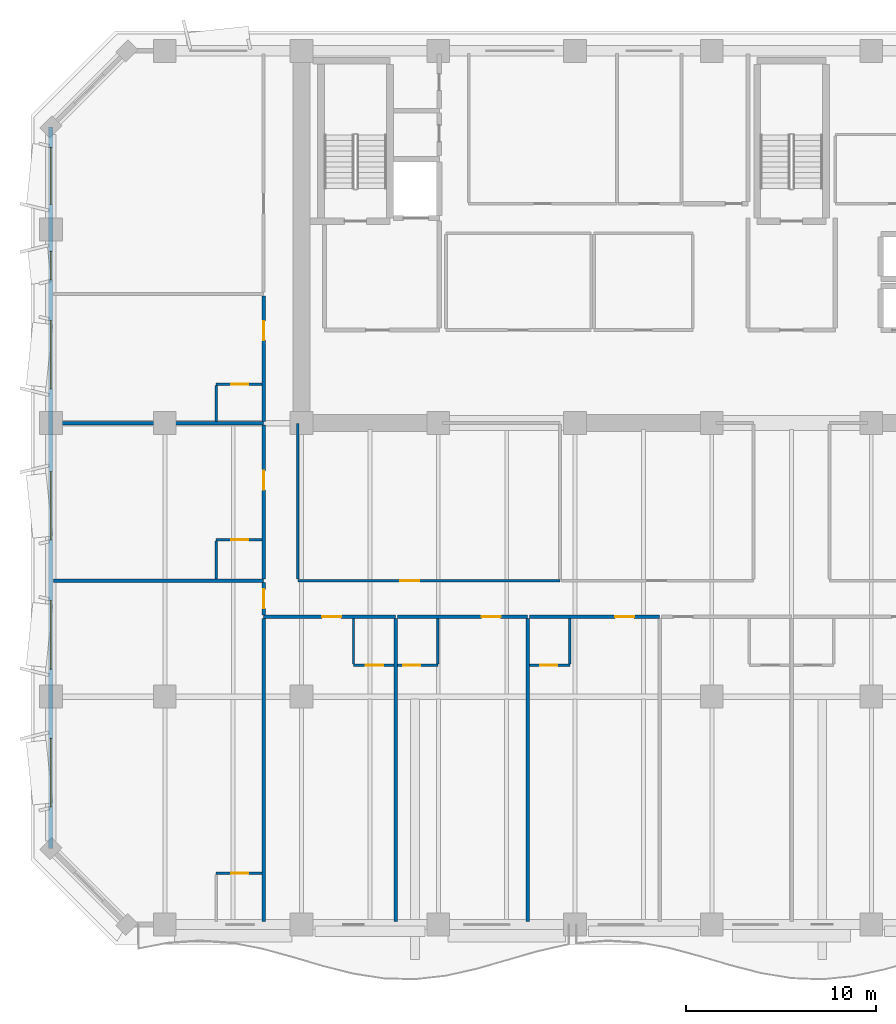
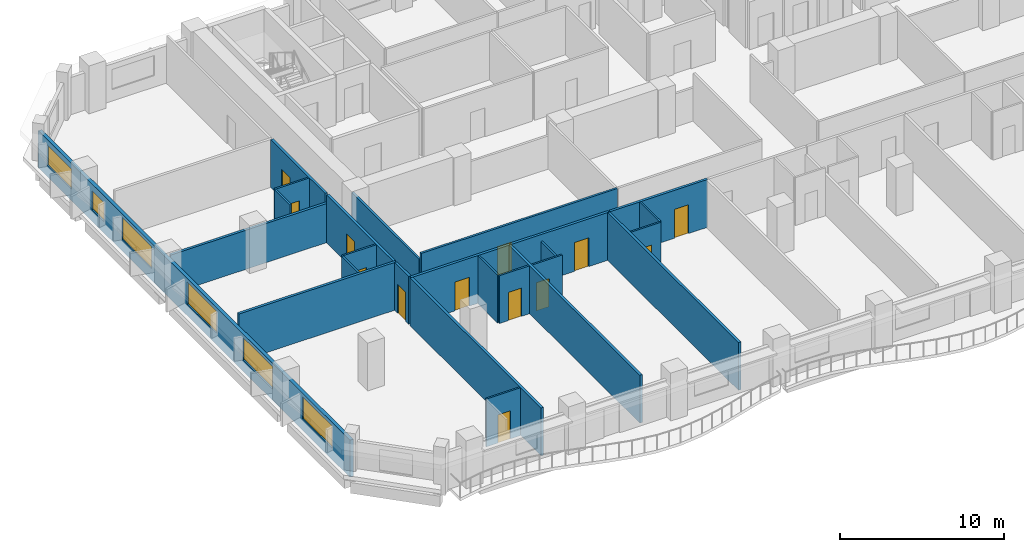
# One storey, part 4 of 14: 25 walls, 13 doors, 6 windows, 19 openings.
"""IFC4 building model written with IfcOpenShell, lengths in metres."""

from ifc_helpers import new_model, si_unit, direction, frame, frame_2d, origin, place, context, subcontext, project, spatial, rectangle, extrude, material, layer, layer_set, type_object, element, fill, save


model = new_model("IFC4")

# Units and contexts
model_context = context("Model", 3, precision=1e-05, world=origin(), true_north=direction((0.0, 1.0)))
body_context = subcontext(model_context, "Body", "Model", "MODEL_VIEW")
ifc_project = project(units=[si_unit("LENGTHUNIT", "METRE"), si_unit("AREAUNIT", "SQUARE_METRE"), si_unit("VOLUMEUNIT", "CUBIC_METRE"), si_unit("PLANEANGLEUNIT", "RADIAN"), si_unit("MASSUNIT", "GRAM", prefix="KILO")], contexts=[model_context])

# Site, building, storey
site_placement = place(None, origin())
site = spatial("IfcSite", under=ifc_project, at=site_placement, CompositionType="ELEMENT")
building_placement = place(site_placement, origin())
building = spatial("IfcBuilding", under=site, at=building_placement, Name="Kaelvorn Grand Hotel", CompositionType="ELEMENT")
storey_placement = place(building_placement, frame((0.0, 0.0, 165.75)))
storey = spatial("IfcBuildingStorey", under=building, at=storey_placement, Name="L40", CompositionType="ELEMENT", Elevation=165.75)

# Wall, openings, windows
ifc_material_1 = material(Name="Concrete C40/50", Category="concrete")
ifc_layer_1 = layer(ifc_material_1, 0.239990234375)
ifc_layer_set_1 = layer_set([ifc_layer_1], Name="Concrete C40/50")
wall_type_1 = type_object("IfcWallType", Name="WL-EXT-240-C40", PredefinedType="SOLIDWALL", material=ifc_layer_set_1)
wall_1_placement = place(storey_placement, frame((3.0, 45.0, 0.0), z_axis=(0.0, 0.0, 1.0), x_axis=(0.0, -1.0, 0.0)))
wall_1 = element("IfcWall", 1, at=wall_1_placement, inside=storey, type_object=wall_type_1, Name="L40 Exterior Architectural Concrete Wall 07", PredefinedType="SOLIDWALL", context=body_context, shape_type="SweptSolid", body=[
    extrude(rectangle(XDim=38.0, YDim=0.239990234375, at=frame_2d((19.0, 0.0))), origin(), (0.0, 0.0, 1.0), 2.760009765625),
])
opening_1_placement = place(wall_1_placement, frame((32.199951171875, 0.0, 0.85009765625)))
opening_1 = element("IfcOpeningElement", 2, at=opening_1_placement, cuts=wall_1, Name="Opening W3", PredefinedType="OPENING", context=body_context, shape_type="SweptSolid", body=[
    extrude(rectangle(XDim=3.60009765625, YDim=1.64990234375, at=frame_2d((1.800048828125, 0.824951171875))), frame((0.0, 0.1298828125, 0.0), z_axis=(0.0, -1.0, 0.0), x_axis=(1.0, 0.0, 0.0)), (0.0, 0.0, 1.0), 0.260009765625),
])
opening_2_placement = place(wall_1_placement, frame((24.949951171875, 0.0, 0.85009765625)))
opening_2 = element("IfcOpeningElement", 3, at=opening_2_placement, cuts=wall_1, Name="Opening W3", PredefinedType="OPENING", context=body_context, shape_type="SweptSolid", body=[
    extrude(rectangle(XDim=3.60009765625, YDim=1.64990234375, at=frame_2d((1.800048828125, 0.824951171875))), frame((0.0, 0.1298828125, 0.0), z_axis=(0.0, -1.0, 0.0), x_axis=(1.0, 0.0, 0.0)), (0.0, 0.0, 1.0), 0.260009765625),
])
opening_3_placement = place(wall_1_placement, frame((18.14990234375, 0.0, 0.85009765625)))
opening_3 = element("IfcOpeningElement", 4, at=opening_3_placement, cuts=wall_1, Name="Opening W3", PredefinedType="OPENING", context=body_context, shape_type="SweptSolid", body=[
    extrude(rectangle(XDim=3.60009765625, YDim=1.64990234375, at=frame_2d((1.800048828125, 0.824951171875))), frame((0.0, 0.1298828125, 0.0), z_axis=(0.0, -1.0, 0.0), x_axis=(1.0, 0.0, 0.0)), (0.0, 0.0, 1.0), 0.260009765625),
])
opening_4_placement = place(wall_1_placement, frame((10.199951171875, 0.0, 0.85009765625)))
opening_4 = element("IfcOpeningElement", 5, at=opening_4_placement, cuts=wall_1, Name="Opening W3", PredefinedType="OPENING", context=body_context, shape_type="SweptSolid", body=[
    extrude(rectangle(XDim=3.60009765625, YDim=1.64990234375, at=frame_2d((1.800048828125, 0.824951171875))), frame((0.0, 0.1298828125, 0.0), z_axis=(0.0, -1.0, 0.0), x_axis=(1.0, 0.0, 0.0)), (0.0, 0.0, 1.0), 0.260009765625),
])
opening_5_placement = place(wall_1_placement, frame((6.550048828125, 0.0, 0.85009765625)))
opening_5 = element("IfcOpeningElement", 6, at=opening_5_placement, cuts=wall_1, Name="Opening W10", PredefinedType="OPENING", context=body_context, shape_type="SweptSolid", body=[
    extrude(rectangle(XDim=1.5, YDim=1.39990234375, at=frame_2d((0.75, 0.699951171875))), frame((0.0, 0.1298828125, 0.0), z_axis=(0.0, -1.0, 0.0), x_axis=(1.0, 0.0, 0.0)), (0.0, 0.0, 1.0), 0.260009765625),
])
opening_6_placement = place(wall_1_placement, frame((1.0849609375, 0.0, 0.85009765625)))
opening_6 = element("IfcOpeningElement", 7, at=opening_6_placement, cuts=wall_1, Name="Opening W5", PredefinedType="OPENING", context=body_context, shape_type="SweptSolid", body=[
    extrude(rectangle(XDim=3.0, YDim=1.5, at=frame_2d((1.5, 0.75))), frame((0.0, 0.1298828125, 0.0), z_axis=(0.0, -1.0, 0.0), x_axis=(1.0, 0.0, 0.0)), (0.0, 0.0, 1.0), 0.260009765625),
])
ifc_material_2 = material(Name="Laminated Low-E Glass", Category="glass")
window_type_1 = type_object("IfcWindowType", Name="WIN-COR-1500x1400", PartitioningType="SINGLE_PANEL", PredefinedType="WINDOW", material=ifc_material_2)
window_1_placement = place(opening_5_placement, origin())
window_1 = element("IfcWindow", 8, at=window_1_placement, inside=storey, type_object=window_type_1, Name="L40 W Wing Tilted-Frame Ribbon Window W05", OverallHeight=1.39990234375, OverallWidth=1.5, PartitioningType="SINGLE_PANEL", PredefinedType="WINDOW", context=body_context, shape_type="SweptSolid", body=[
    extrude(rectangle(XDim=1.5, YDim=1.39990234375, at=frame_2d((0.75, 0.699951171875))), frame((0.0, 0.030029296875, 0.0), z_axis=(0.0, -1.0, 0.0), x_axis=(1.0, 0.0, 0.0)), (0.0, 0.0, 1.0), 0.06005859375),
])
fill(opening_5, window_1)
window_type_2 = type_object("IfcWindowType", Name="WIN-NTH-3000x1500", PartitioningType="SINGLE_PANEL", PredefinedType="WINDOW", material=ifc_material_2)
window_2_placement = place(opening_6_placement, origin())
window_2 = element("IfcWindow", 9, at=window_2_placement, inside=storey, type_object=window_type_2, Name="L40 W Wing Tilted-Frame Ribbon Window W06", OverallHeight=1.5, OverallWidth=3.0, PartitioningType="SINGLE_PANEL", PredefinedType="WINDOW", context=body_context, shape_type="SweptSolid", body=[
    extrude(rectangle(XDim=3.0, YDim=1.5, at=frame_2d((1.5, 0.75))), frame((0.0, 0.030029296875, 0.0), z_axis=(0.0, -1.0, 0.0), x_axis=(1.0, 0.0, 0.0)), (0.0, 0.0, 1.0), 0.06005859375),
])
fill(opening_6, window_2)
window_type_3 = type_object("IfcWindowType", Name="WIN-RIB-3600x1750", PartitioningType="SINGLE_PANEL", PredefinedType="WINDOW", material=ifc_material_2)
window_3_placement = place(opening_1_placement, origin())
window_3 = element("IfcWindow", 10, at=window_3_placement, inside=storey, type_object=window_type_3, Name="L40 W Wing Tilted-Frame Ribbon Window W01", OverallHeight=1.64990234375, OverallWidth=3.60009765625, PartitioningType="SINGLE_PANEL", PredefinedType="WINDOW", context=body_context, shape_type="SweptSolid", body=[
    extrude(rectangle(XDim=3.60009765625, YDim=1.64990234375, at=frame_2d((1.800048828125, 0.824951171875))), frame((0.0, 0.030029296875, 0.0), z_axis=(0.0, -1.0, 0.0), x_axis=(1.0, 0.0, 0.0)), (0.0, 0.0, 1.0), 0.06005859375),
])
fill(opening_1, window_3)
window_4_placement = place(opening_2_placement, origin())
window_4 = element("IfcWindow", 11, at=window_4_placement, inside=storey, type_object=window_type_3, Name="L40 W Wing Tilted-Frame Ribbon Window W02", OverallHeight=1.64990234375, OverallWidth=3.60009765625, PartitioningType="SINGLE_PANEL", PredefinedType="WINDOW", context=body_context, shape_type="SweptSolid", body=[
    extrude(rectangle(XDim=3.60009765625, YDim=1.64990234375, at=frame_2d((1.800048828125, 0.824951171875))), frame((0.0, 0.030029296875, 0.0), z_axis=(0.0, -1.0, 0.0), x_axis=(1.0, 0.0, 0.0)), (0.0, 0.0, 1.0), 0.06005859375),
])
fill(opening_2, window_4)
window_5_placement = place(opening_3_placement, origin())
window_5 = element("IfcWindow", 12, at=window_5_placement, inside=storey, type_object=window_type_3, Name="L40 W Wing Tilted-Frame Ribbon Window W03", OverallHeight=1.64990234375, OverallWidth=3.60009765625, PartitioningType="SINGLE_PANEL", PredefinedType="WINDOW", context=body_context, shape_type="SweptSolid", body=[
    extrude(rectangle(XDim=3.60009765625, YDim=1.64990234375, at=frame_2d((1.800048828125, 0.824951171875))), frame((0.0, 0.030029296875, 0.0), z_axis=(0.0, -1.0, 0.0), x_axis=(1.0, 0.0, 0.0)), (0.0, 0.0, 1.0), 0.06005859375),
])
fill(opening_3, window_5)
window_6_placement = place(opening_4_placement, origin())
window_6 = element("IfcWindow", 13, at=window_6_placement, inside=storey, type_object=window_type_3, Name="L40 W Wing Tilted-Frame Ribbon Window W04", OverallHeight=1.64990234375, OverallWidth=3.60009765625, PartitioningType="SINGLE_PANEL", PredefinedType="WINDOW", context=body_context, shape_type="SweptSolid", body=[
    extrude(rectangle(XDim=3.60009765625, YDim=1.64990234375, at=frame_2d((1.800048828125, 0.824951171875))), frame((0.0, 0.030029296875, 0.0), z_axis=(0.0, -1.0, 0.0), x_axis=(1.0, 0.0, 0.0)), (0.0, 0.0, 1.0), 0.06005859375),
])
fill(opening_4, window_6)

# Wall, opening, door
ifc_material_3 = material(Name="Moisture-Resistant Tile & Stud Board")
ifc_layer_2 = layer(ifc_material_3, 0.125)
ifc_layer_set_2 = layer_set([ifc_layer_2], Name="Moisture-Resistant Tile & Stud Board")
wall_type_2 = type_object("IfcWallType", Name="WL-PART-125-WET", PredefinedType="PARTITIONING", material=ifc_layer_set_2)
wall_2_placement = place(storey_placement, frame((18.929931640625, 16.64990234375, 0.0), z_axis=(0.0, 0.0, 1.0), x_axis=(1.0, 0.0, 0.0)))
wall_2 = element("IfcWall", 14, at=wall_2_placement, inside=storey, type_object=wall_type_2, Name="L40 En-suite Bathroom L40-01 S Partition", PredefinedType="PARTITIONING", context=body_context, shape_type="SweptSolid", body=[
    extrude(rectangle(XDim=2.125, YDim=0.125, at=frame_2d((1.0625, 0.0))), origin(), (0.0, 0.0, 1.0), 3.56005859375),
])
opening_7_placement = place(wall_2_placement, frame((0.659912109375, 0.0, 0.0)))
opening_7 = element("IfcOpeningElement", 15, at=opening_7_placement, cuts=wall_2, Name="Opening DI4", PredefinedType="OPENING", context=body_context, shape_type="SweptSolid", body=[
    extrude(rectangle(XDim=0.89990234375, YDim=2.10009765625, at=frame_2d((0.449951171875, 1.050048828125))), frame((0.0, 0.072509765625, 0.0), z_axis=(0.0, -1.0, 0.0), x_axis=(1.0, 0.0, 0.0)), (0.0, 0.0, 1.0), 0.14501953125),
])
ifc_material_4 = material(Name="Timber Veneer Leaf", Category="wood")
door_type_1 = type_object("IfcDoorType", Name="DR-INT-BATH-900x2100", OperationType="NOTDEFINED", PredefinedType="DOOR", material=ifc_material_4)
door_1_placement = place(opening_7_placement, origin())
door_1 = element("IfcDoor", 16, at=door_1_placement, inside=storey, type_object=door_type_1, Name="L40 En-suite Bathroom L40-01 Door", OperationType="SINGLE_SWING_LEFT", OverallHeight=2.10009765625, OverallWidth=0.89990234375, PredefinedType="DOOR", context=body_context, shape_type="SweptSolid", body=[
    extrude(rectangle(XDim=0.89990234375, YDim=2.10009765625, at=frame_2d((0.449951171875, 1.050048828125))), frame((0.0, 0.02490234375, 0.0), z_axis=(0.0, -1.0, 0.0), x_axis=(1.0, 0.0, 0.0)), (0.0, 0.0, 1.0), 0.050048828125),
])
fill(opening_7, door_1)

# Wall
wall_3_placement = place(storey_placement, frame((18.929931640625, 16.717529296875, 0.0), z_axis=(0.0, 0.0, 1.0), x_axis=(0.0, 1.0, 0.0)))
element("IfcWall", 17, at=wall_3_placement, inside=storey, type_object=wall_type_2, Name="L40 En-suite Bathroom L40-01 W Partition", PredefinedType="PARTITIONING", context=body_context, shape_type="SweptSolid", body=[
    extrude(rectangle(XDim=2.387451171875, YDim=0.125, at=frame_2d((1.19384765625, 0.0))), origin(), (0.0, 0.0, 1.0), 3.56005859375),
])

# Wall, opening, door
wall_4_placement = place(storey_placement, frame((21.2451171875, 16.64990234375, 0.0), z_axis=(0.0, 0.0, 1.0), x_axis=(1.0, 0.0, 0.0)))
wall_4 = element("IfcWall", 18, at=wall_4_placement, inside=storey, type_object=wall_type_2, Name="L40 En-suite Bathroom L40-02 S Partition", PredefinedType="PARTITIONING", context=body_context, shape_type="SweptSolid", body=[
    extrude(rectangle(XDim=2.125, YDim=0.125, at=frame_2d((1.0625, 0.0))), origin(), (0.0, 0.0, 1.0), 3.56005859375),
])
opening_8_placement = place(wall_4_placement, frame((0.31494140625, 0.0, 0.0)))
opening_8 = element("IfcOpeningElement", 19, at=opening_8_placement, cuts=wall_4, Name="Opening DI4", PredefinedType="OPENING", context=body_context, shape_type="SweptSolid", body=[
    extrude(rectangle(XDim=0.89990234375, YDim=2.10009765625, at=frame_2d((0.449951171875, 1.050048828125))), frame((0.0, 0.072509765625, 0.0), z_axis=(0.0, -1.0, 0.0), x_axis=(1.0, 0.0, 0.0)), (0.0, 0.0, 1.0), 0.14501953125),
])
door_2_placement = place(opening_8_placement, origin())
door_2 = element("IfcDoor", 20, at=door_2_placement, inside=storey, type_object=door_type_1, Name="L40 En-suite Bathroom L40-02 Door", OperationType="SINGLE_SWING_LEFT", OverallHeight=2.10009765625, OverallWidth=0.89990234375, PredefinedType="DOOR", context=body_context, shape_type="SweptSolid", body=[
    extrude(rectangle(XDim=0.89990234375, YDim=2.10009765625, at=frame_2d((0.449951171875, 1.050048828125))), frame((0.0, 0.02490234375, 0.0), z_axis=(0.0, -1.0, 0.0), x_axis=(1.0, 0.0, 0.0)), (0.0, 0.0, 1.0), 0.050048828125),
])
fill(opening_8, door_2)

# Wall
wall_5_placement = place(storey_placement, frame((23.3701171875, 16.717529296875, 0.0), z_axis=(0.0, 0.0, 1.0), x_axis=(0.0, 1.0, 0.0)))
element("IfcWall", 21, at=wall_5_placement, inside=storey, type_object=wall_type_2, Name="L40 En-suite Bathroom L40-02 E Partition", PredefinedType="PARTITIONING", context=body_context, shape_type="SweptSolid", body=[
    extrude(rectangle(XDim=2.387451171875, YDim=0.125, at=frame_2d((1.19384765625, 0.0))), origin(), (0.0, 0.0, 1.0), 3.06005859375),
])

# Wall, opening, door
wall_6_placement = place(storey_placement, frame((28.195068359375, 16.64990234375, 0.0), z_axis=(0.0, 0.0, 1.0), x_axis=(1.0, 0.0, 0.0)))
wall_6 = element("IfcWall", 22, at=wall_6_placement, inside=storey, type_object=wall_type_2, Name="L40 En-suite Bathroom L40-03 S Partition", PredefinedType="PARTITIONING", context=body_context, shape_type="SweptSolid", body=[
    extrude(rectangle(XDim=2.125, YDim=0.125, at=frame_2d((1.0625, 0.0))), origin(), (0.0, 0.0, 1.0), 3.56005859375),
])
opening_9_placement = place(wall_6_placement, frame((0.56494140625, 0.0, 0.0)))
opening_9 = element("IfcOpeningElement", 23, at=opening_9_placement, cuts=wall_6, Name="Opening DI4", PredefinedType="OPENING", context=body_context, shape_type="SweptSolid", body=[
    extrude(rectangle(XDim=0.89990234375, YDim=2.10009765625, at=frame_2d((0.449951171875, 1.050048828125))), frame((0.0, 0.072509765625, 0.0), z_axis=(0.0, -1.0, 0.0), x_axis=(1.0, 0.0, 0.0)), (0.0, 0.0, 1.0), 0.14501953125),
])
door_3_placement = place(opening_9_placement, origin())
door_3 = element("IfcDoor", 24, at=door_3_placement, inside=storey, type_object=door_type_1, Name="L40 En-suite Bathroom L40-03 Door", OperationType="SINGLE_SWING_LEFT", OverallHeight=2.10009765625, OverallWidth=0.89990234375, PredefinedType="DOOR", context=body_context, shape_type="SweptSolid", body=[
    extrude(rectangle(XDim=0.89990234375, YDim=2.10009765625, at=frame_2d((0.449951171875, 1.050048828125))), frame((0.0, 0.02490234375, 0.0), z_axis=(0.0, -1.0, 0.0), x_axis=(1.0, 0.0, 0.0)), (0.0, 0.0, 1.0), 0.050048828125),
])
fill(opening_9, door_3)

# Wall
wall_7_placement = place(storey_placement, frame((30.320068359375, 16.717529296875, 0.0), z_axis=(0.0, 0.0, 1.0), x_axis=(0.0, 1.0, 0.0)))
element("IfcWall", 25, at=wall_7_placement, inside=storey, type_object=wall_type_2, Name="L40 En-suite Bathroom L40-03 E Partition", PredefinedType="PARTITIONING", context=body_context, shape_type="SweptSolid", body=[
    extrude(rectangle(XDim=2.387451171875, YDim=0.125, at=frame_2d((1.19384765625, 0.0))), origin(), (0.0, 0.0, 1.0), 3.56005859375),
])

# Wall, opening, door
wall_8_placement = place(storey_placement, frame((11.699951171875, 5.699951171875, 0.0), z_axis=(0.0, 0.0, 1.0), x_axis=(1.0, 0.0, 0.0)))
wall_8 = element("IfcWall", 26, at=wall_8_placement, inside=storey, type_object=wall_type_2, Name="L40 En-suite Bathroom L40-09 N Partition", PredefinedType="PARTITIONING", context=body_context, shape_type="SweptSolid", body=[
    extrude(rectangle(XDim=2.405029296875, YDim=0.125, at=frame_2d((1.20263671875, 0.0))), origin(), (0.0, 0.0, 1.0), 3.56005859375),
])
opening_10_placement = place(wall_8_placement, frame((0.800048828125, 0.0, 0.0)))
opening_10 = element("IfcOpeningElement", 27, at=opening_10_placement, cuts=wall_8, Name="Opening DI4", PredefinedType="OPENING", context=body_context, shape_type="SweptSolid", body=[
    extrude(rectangle(XDim=0.89990234375, YDim=2.10009765625, at=frame_2d((0.449951171875, 1.050048828125))), frame((0.0, 0.072509765625, 0.0), z_axis=(0.0, -1.0, 0.0), x_axis=(1.0, 0.0, 0.0)), (0.0, 0.0, 1.0), 0.14501953125),
])
door_4_placement = place(opening_10_placement, origin())
door_4 = element("IfcDoor", 28, at=door_4_placement, inside=storey, type_object=door_type_1, Name="L40 En-suite Bathroom L40-09 Door", OperationType="SINGLE_SWING_LEFT", OverallHeight=2.10009765625, OverallWidth=0.89990234375, PredefinedType="DOOR", context=body_context, shape_type="SweptSolid", body=[
    extrude(rectangle(XDim=0.89990234375, YDim=2.10009765625, at=frame_2d((0.449951171875, 1.050048828125))), frame((0.0, 0.02490234375, 0.0), z_axis=(0.0, -1.0, 0.0), x_axis=(1.0, 0.0, 0.0)), (0.0, 0.0, 1.0), 0.050048828125),
])
fill(opening_10, door_4)

wall_9_placement = place(storey_placement, frame((11.699951171875, 23.260009765625, 0.0), z_axis=(0.0, 0.0, 1.0), x_axis=(1.0, 0.0, 0.0)))
wall_9 = element("IfcWall", 29, at=wall_9_placement, inside=storey, type_object=wall_type_2, Name="L40 En-suite Bathroom L40-10 N Partition", PredefinedType="PARTITIONING", context=body_context, shape_type="SweptSolid", body=[
    extrude(rectangle(XDim=2.405029296875, YDim=0.125, at=frame_2d((1.20263671875, 0.0))), origin(), (0.0, 0.0, 1.0), 3.56005859375),
])
opening_11_placement = place(wall_9_placement, frame((0.800048828125, 0.0, 0.0)))
opening_11 = element("IfcOpeningElement", 30, at=opening_11_placement, cuts=wall_9, Name="Opening DI4", PredefinedType="OPENING", context=body_context, shape_type="SweptSolid", body=[
    extrude(rectangle(XDim=0.89990234375, YDim=2.10009765625, at=frame_2d((0.449951171875, 1.050048828125))), frame((0.0, 0.072509765625, 0.0), z_axis=(0.0, -1.0, 0.0), x_axis=(1.0, 0.0, 0.0)), (0.0, 0.0, 1.0), 0.14501953125),
])
door_5_placement = place(opening_11_placement, origin())
door_5 = element("IfcDoor", 31, at=door_5_placement, inside=storey, type_object=door_type_1, Name="L40 En-suite Bathroom L40-10 Door", OperationType="SINGLE_SWING_LEFT", OverallHeight=2.10009765625, OverallWidth=0.89990234375, PredefinedType="DOOR", context=body_context, shape_type="SweptSolid", body=[
    extrude(rectangle(XDim=0.89990234375, YDim=2.10009765625, at=frame_2d((0.449951171875, 1.050048828125))), frame((0.0, 0.02490234375, 0.0), z_axis=(0.0, -1.0, 0.0), x_axis=(1.0, 0.0, 0.0)), (0.0, 0.0, 1.0), 0.050048828125),
])
fill(opening_11, door_5)

# Wall
wall_10_placement = place(storey_placement, frame((11.699951171875, 21.195068359375, 0.0), z_axis=(0.0, 0.0, 1.0), x_axis=(0.0, 1.0, 0.0)))
element("IfcWall", 32, at=wall_10_placement, inside=storey, type_object=wall_type_2, Name="L40 En-suite Bathroom L40-10 W Partition", PredefinedType="PARTITIONING", context=body_context, shape_type="SweptSolid", body=[
    extrude(rectangle(XDim=1.997314453125, YDim=0.125, at=frame_2d((0.99853515625, 0.0))), origin(), (0.0, 0.0, 1.0), 3.56005859375),
])

# Wall, opening, door
wall_11_placement = place(storey_placement, frame((11.699951171875, 31.449951171875, 0.0), z_axis=(0.0, 0.0, 1.0), x_axis=(1.0, 0.0, 0.0)))
wall_11 = element("IfcWall", 33, at=wall_11_placement, inside=storey, type_object=wall_type_2, Name="L40 En-suite Bathroom L40-13 N Partition", PredefinedType="PARTITIONING", context=body_context, shape_type="SweptSolid", body=[
    extrude(rectangle(XDim=2.405029296875, YDim=0.125, at=frame_2d((1.20263671875, 0.0))), origin(), (0.0, 0.0, 1.0), 3.56005859375),
])
opening_12_placement = place(wall_11_placement, frame((0.800048828125, 0.0, 0.0)))
opening_12 = element("IfcOpeningElement", 34, at=opening_12_placement, cuts=wall_11, Name="Opening DI4", PredefinedType="OPENING", context=body_context, shape_type="SweptSolid", body=[
    extrude(rectangle(XDim=0.89990234375, YDim=2.10009765625, at=frame_2d((0.449951171875, 1.050048828125))), frame((0.0, 0.072509765625, 0.0), z_axis=(0.0, -1.0, 0.0), x_axis=(1.0, 0.0, 0.0)), (0.0, 0.0, 1.0), 0.14501953125),
])
door_6_placement = place(opening_12_placement, origin())
door_6 = element("IfcDoor", 35, at=door_6_placement, inside=storey, type_object=door_type_1, Name="L40 En-suite Bathroom L40-13 Door", OperationType="SINGLE_SWING_LEFT", OverallHeight=2.10009765625, OverallWidth=0.89990234375, PredefinedType="DOOR", context=body_context, shape_type="SweptSolid", body=[
    extrude(rectangle(XDim=0.89990234375, YDim=2.10009765625, at=frame_2d((0.449951171875, 1.050048828125))), frame((0.0, 0.02490234375, 0.0), z_axis=(0.0, -1.0, 0.0), x_axis=(1.0, 0.0, 0.0)), (0.0, 0.0, 1.0), 0.050048828125),
])
fill(opening_12, door_6)

# Wall
wall_12_placement = place(storey_placement, frame((11.699951171875, 29.4951171875, 0.0), z_axis=(0.0, 0.0, 1.0), x_axis=(0.0, 1.0, 0.0)))
element("IfcWall", 36, at=wall_12_placement, inside=storey, type_object=wall_type_2, Name="L40 En-suite Bathroom L40-13 W Partition", PredefinedType="PARTITIONING", context=body_context, shape_type="SweptSolid", body=[
    extrude(rectangle(XDim=1.887451171875, YDim=0.125, at=frame_2d((0.94384765625, 0.0))), origin(), (0.0, 0.0, 1.0), 3.56005859375),
])

# Wall, opening, door
ifc_material_5 = material(Name="Acoustic Gypsum & Stud Partition")
ifc_layer_3 = layer(ifc_material_5, 0.14990234375)
ifc_layer_set_3 = layer_set([ifc_layer_3], Name="Acoustic Gypsum & Stud Partition")
wall_type_3 = type_object("IfcWallType", Name="WL-PART-150-EI60", PredefinedType="PARTITIONING", material=ifc_layer_set_3)
wall_13_placement = place(storey_placement, frame((16.0, 21.10009765625, 0.0), z_axis=(0.0, 0.0, 1.0), x_axis=(1.0, 0.0, 0.0)))
wall_13 = element("IfcWall", 37, at=wall_13_placement, inside=storey, type_object=wall_type_3, Name="L40 Wellness Spa Salon S Partition", PredefinedType="PARTITIONING", context=body_context, shape_type="SweptSolid", body=[
    extrude(rectangle(XDim=13.800048828125, YDim=0.14990234375, at=frame_2d((6.89990234375, 0.0))), origin(), (0.0, 0.0, 1.0), 3.56005859375),
])
opening_13_placement = place(wall_13_placement, frame((5.39990234375, 0.0, 0.0)))
opening_13 = element("IfcOpeningElement", 38, at=opening_13_placement, cuts=wall_13, Name="Opening DI3", PredefinedType="OPENING", context=body_context, shape_type="SweptSolid", body=[
    extrude(rectangle(XDim=1.0, YDim=2.14990234375, at=frame_2d((0.5, 1.074951171875))), frame((0.0, 0.0849609375, 0.0), z_axis=(0.0, -1.0, 0.0), x_axis=(1.0, 0.0, 0.0)), (0.0, 0.0, 1.0), 0.169921875),
])
ifc_material_6 = material(Name="Timber Veneer Fire Leaf", Category="wood")
door_type_2 = type_object("IfcDoorType", Name="DR-INT-GUEST-1000x2150", OperationType="NOTDEFINED", PredefinedType="DOOR", material=ifc_material_6)
door_7_placement = place(opening_13_placement, origin())
door_7 = element("IfcDoor", 39, at=door_7_placement, inside=storey, type_object=door_type_2, Name="L40 Wellness Spa Salon Door", OperationType="SINGLE_SWING_RIGHT", OverallHeight=2.14990234375, OverallWidth=1.0, PredefinedType="DOOR", context=body_context, shape_type="SweptSolid", body=[
    extrude(rectangle(XDim=1.0, YDim=2.14990234375, at=frame_2d((0.5, 1.074951171875))), frame((0.0, 0.02490234375, 0.0), z_axis=(0.0, -1.0, 0.0), x_axis=(1.0, 0.0, 0.0)), (0.0, 0.0, 1.0), 0.050048828125),
])
fill(opening_13, door_7)

# Wall
wall_14_placement = place(storey_placement, frame((16.0, 21.179931640625, 0.0), z_axis=(0.0, 0.0, 1.0), x_axis=(0.0, 1.0, 0.0)))
element("IfcWall", 40, at=wall_14_placement, inside=storey, type_object=wall_type_3, Name="L40 Wellness Spa Salon W Partition", PredefinedType="PARTITIONING", context=body_context, shape_type="SweptSolid", body=[
    extrude(rectangle(XDim=8.2099609375, YDim=0.14990234375, at=frame_2d((4.10498046875, 0.0))), origin(), (0.0, 0.0, 1.0), 3.06005859375),
])

# Wall, opening, door
ifc_layer_4 = layer(ifc_material_5, 0.179931640625)
ifc_layer_set_4 = layer_set([ifc_layer_4], Name="Acoustic Gypsum & Stud Partition")
wall_type_4 = type_object("IfcWallType", Name="WL-PART-180-EI60", PredefinedType="PARTITIONING", material=ifc_layer_set_4)
wall_15_placement = place(storey_placement, frame((14.199951171875, 19.199951171875, 0.0), z_axis=(0.0, 0.0, 1.0), x_axis=(1.0, 0.0, 0.0)))
wall_15 = element("IfcWall", 41, at=wall_15_placement, inside=storey, type_object=wall_type_4, Name="L40 Mid-Rise Signature Suite L40-01 N Partition", PredefinedType="PARTITIONING", context=body_context, shape_type="SweptSolid", body=[
    extrude(rectangle(XDim=6.949951171875, YDim=0.179931640625, at=frame_2d((3.47509765625, 0.0))), origin(), (0.0, 0.0, 1.0), 3.56005859375),
])
opening_14_placement = place(wall_15_placement, frame((3.080078125, 0.0, 0.0)))
opening_14 = element("IfcOpeningElement", 42, at=opening_14_placement, cuts=wall_15, Name="Opening DI3", PredefinedType="OPENING", context=body_context, shape_type="SweptSolid", body=[
    extrude(rectangle(XDim=1.0, YDim=2.14990234375, at=frame_2d((0.5, 1.074951171875))), frame((0.0, 0.10009765625, 0.0), z_axis=(0.0, -1.0, 0.0), x_axis=(1.0, 0.0, 0.0)), (0.0, 0.0, 1.0), 0.199951171875),
])
door_8_placement = place(opening_14_placement, origin())
door_8 = element("IfcDoor", 43, at=door_8_placement, inside=storey, type_object=door_type_2, Name="L40 Mid-Rise Signature Suite L40-01 Door", OperationType="SINGLE_SWING_RIGHT", OverallHeight=2.14990234375, OverallWidth=1.0, PredefinedType="DOOR", context=body_context, shape_type="SweptSolid", body=[
    extrude(rectangle(XDim=1.0, YDim=2.14990234375, at=frame_2d((0.5, 1.074951171875))), frame((0.0, 0.02490234375, 0.0), z_axis=(0.0, -1.0, 0.0), x_axis=(1.0, 0.0, 0.0)), (0.0, 0.0, 1.0), 0.050048828125),
])
fill(opening_14, door_8)

# Walls
for number, where, z_axis, x_axis, name in (
    (44, (14.199951171875, 3.14990234375, 0.0), (0.0, 0.0, 1.0), (0.0, 1.0, 0.0), "L40 Mid-Rise Signature Suite L40-01 W Partition"),
    (45, (21.14990234375, 3.14990234375, 0.0), (0.0, 0.0, 1.0), (0.0, 1.0, 0.0), "L40 Mid-Rise Signature Suite L40-01 E Partition"),
):
    element("IfcWall", number, at=place(storey_placement, frame(where, z_axis=z_axis, x_axis=x_axis)), inside=storey, type_object=wall_type_4, Name=name, PredefinedType="PARTITIONING", context=body_context, shape_type="SweptSolid", body=[
        extrude(rectangle(XDim=15.955078125, YDim=0.179931640625, at=frame_2d((7.9775390625, 0.0))), origin(), (0.0, 0.0, 1.0), 3.56005859375),
    ])

# Wall, opening, door
wall_16_placement = place(storey_placement, frame((21.2451171875, 19.199951171875, 0.0), z_axis=(0.0, 0.0, 1.0), x_axis=(1.0, 0.0, 0.0)))
wall_16 = element("IfcWall", 46, at=wall_16_placement, inside=storey, type_object=wall_type_4, Name="L40 Mid-Rise Signature Suite L40-02 N Partition", PredefinedType="PARTITIONING", context=body_context, shape_type="SweptSolid", body=[
    extrude(rectangle(XDim=6.85498046875, YDim=0.179931640625, at=frame_2d((3.427490234375, 0.0))), origin(), (0.0, 0.0, 1.0), 3.56005859375),
])
opening_15_placement = place(wall_16_placement, frame((4.43994140625, 0.0, 0.0)))
opening_15 = element("IfcOpeningElement", 47, at=opening_15_placement, cuts=wall_16, Name="Opening DI3", PredefinedType="OPENING", context=body_context, shape_type="SweptSolid", body=[
    extrude(rectangle(XDim=1.0, YDim=2.14990234375, at=frame_2d((0.5, 1.074951171875))), frame((0.0, 0.10009765625, 0.0), z_axis=(0.0, -1.0, 0.0), x_axis=(1.0, 0.0, 0.0)), (0.0, 0.0, 1.0), 0.199951171875),
])
door_9_placement = place(opening_15_placement, origin())
door_9 = element("IfcDoor", 48, at=door_9_placement, inside=storey, type_object=door_type_2, Name="L40 Mid-Rise Signature Suite L40-02 Door", OperationType="SINGLE_SWING_RIGHT", OverallHeight=2.14990234375, OverallWidth=1.0, PredefinedType="DOOR", context=body_context, shape_type="SweptSolid", body=[
    extrude(rectangle(XDim=1.0, YDim=2.14990234375, at=frame_2d((0.5, 1.074951171875))), frame((0.0, 0.02490234375, 0.0), z_axis=(0.0, -1.0, 0.0), x_axis=(1.0, 0.0, 0.0)), (0.0, 0.0, 1.0), 0.050048828125),
])
fill(opening_15, door_9)

# Wall
wall_17_placement = place(storey_placement, frame((28.10009765625, 3.14990234375, 0.0), z_axis=(0.0, 0.0, 1.0), x_axis=(0.0, 1.0, 0.0)))
element("IfcWall", 49, at=wall_17_placement, inside=storey, type_object=wall_type_4, Name="L40 Mid-Rise Signature Suite L40-02 E Partition", PredefinedType="PARTITIONING", context=body_context, shape_type="SweptSolid", body=[
    extrude(rectangle(XDim=15.955078125, YDim=0.179931640625, at=frame_2d((7.9775390625, 0.0))), origin(), (0.0, 0.0, 1.0), 3.56005859375),
])

# Wall, opening, door
wall_18_placement = place(storey_placement, frame((28.195068359375, 19.199951171875, 0.0), z_axis=(0.0, 0.0, 1.0), x_axis=(1.0, 0.0, 0.0)))
wall_18 = element("IfcWall", 50, at=wall_18_placement, inside=storey, type_object=wall_type_4, Name="L40 Mid-Rise Signature Suite L40-03 N Partition", PredefinedType="PARTITIONING", context=body_context, shape_type="SweptSolid", body=[
    extrude(rectangle(XDim=6.85498046875, YDim=0.179931640625, at=frame_2d((3.427490234375, 0.0))), origin(), (0.0, 0.0, 1.0), 3.56005859375),
])
opening_16_placement = place(wall_18_placement, frame((4.52001953125, 0.0, 0.0)))
opening_16 = element("IfcOpeningElement", 51, at=opening_16_placement, cuts=wall_18, Name="Opening DI3", PredefinedType="OPENING", context=body_context, shape_type="SweptSolid", body=[
    extrude(rectangle(XDim=1.0, YDim=2.14990234375, at=frame_2d((0.5, 1.074951171875))), frame((0.0, 0.10009765625, 0.0), z_axis=(0.0, -1.0, 0.0), x_axis=(1.0, 0.0, 0.0)), (0.0, 0.0, 1.0), 0.199951171875),
])
door_10_placement = place(opening_16_placement, origin())
door_10 = element("IfcDoor", 52, at=door_10_placement, inside=storey, type_object=door_type_2, Name="L40 Mid-Rise Signature Suite L40-03 Door", OperationType="SINGLE_SWING_RIGHT", OverallHeight=2.14990234375, OverallWidth=1.0, PredefinedType="DOOR", context=body_context, shape_type="SweptSolid", body=[
    extrude(rectangle(XDim=1.0, YDim=2.14990234375, at=frame_2d((0.5, 1.074951171875))), frame((0.0, 0.02490234375, 0.0), z_axis=(0.0, -1.0, 0.0), x_axis=(1.0, 0.0, 0.0)), (0.0, 0.0, 1.0), 0.050048828125),
])
fill(opening_16, door_10)

# Wall
wall_19_placement = place(storey_placement, frame((3.14990234375, 21.10009765625, 0.0), z_axis=(0.0, 0.0, 1.0), x_axis=(1.0, 0.0, 0.0)))
element("IfcWall", 53, at=wall_19_placement, inside=storey, type_object=wall_type_4, Name="L40 South-West Chamfer Suite L40-09 N Partition", PredefinedType="PARTITIONING", context=body_context, shape_type="SweptSolid", body=[
    extrude(rectangle(XDim=11.050048828125, YDim=0.179931640625, at=frame_2d((5.52490234375, 0.0))), origin(), (0.0, 0.0, 1.0), 3.56005859375),
])

# Wall, opening, door
wall_20_placement = place(storey_placement, frame((14.199951171875, 19.294921875, 0.0), z_axis=(0.0, 0.0, 1.0), x_axis=(0.0, 1.0, 0.0)))
wall_20 = element("IfcWall", 54, at=wall_20_placement, inside=storey, type_object=wall_type_4, Name="L40 South-West Chamfer Suite L40-09 E Partition", PredefinedType="PARTITIONING", context=body_context, shape_type="SweptSolid", body=[
    extrude(rectangle(XDim=1.7099609375, YDim=0.179931640625, at=frame_2d((0.85498046875, 0.0))), origin(), (0.0, 0.0, 1.0), 3.56005859375),
])
opening_17_placement = place(wall_20_placement, frame((0.35498046875, 0.0, 0.0)))
opening_17 = element("IfcOpeningElement", 55, at=opening_17_placement, cuts=wall_20, Name="Opening DI3", PredefinedType="OPENING", context=body_context, shape_type="SweptSolid", body=[
    extrude(rectangle(XDim=1.0, YDim=2.14990234375, at=frame_2d((0.5, 1.074951171875))), frame((0.0, 0.10009765625, 0.0), z_axis=(0.0, -1.0, 0.0), x_axis=(1.0, 0.0, 0.0)), (0.0, 0.0, 1.0), 0.199951171875),
])
door_11_placement = place(opening_17_placement, origin())
door_11 = element("IfcDoor", 56, at=door_11_placement, inside=storey, type_object=door_type_2, Name="L40 South-West Chamfer Suite L40-09 Door", OperationType="SINGLE_SWING_RIGHT", OverallHeight=2.14990234375, OverallWidth=1.0, PredefinedType="DOOR", context=body_context, shape_type="SweptSolid", body=[
    extrude(rectangle(XDim=1.0, YDim=2.14990234375, at=frame_2d((0.5, 1.074951171875))), frame((0.0, 0.02490234375, 0.0), z_axis=(0.0, -1.0, 0.0), x_axis=(1.0, 0.0, 0.0)), (0.0, 0.0, 1.0), 0.050048828125),
])
fill(opening_17, door_11)

# Wall
wall_21_placement = place(storey_placement, frame((3.14990234375, 29.39990234375, 0.0), z_axis=(0.0, 0.0, 1.0), x_axis=(1.0, 0.0, 0.0)))
element("IfcWall", 57, at=wall_21_placement, inside=storey, type_object=wall_type_4, Name="L40 West End Panoramic Suite L40-10 N Partition", PredefinedType="PARTITIONING", context=body_context, shape_type="SweptSolid", body=[
    extrude(rectangle(XDim=11.050048828125, YDim=0.179931640625, at=frame_2d((5.52490234375, 0.0))), origin(), (0.0, 0.0, 1.0), 2.909912109375),
])

# Wall, opening, door
wall_22_placement = place(storey_placement, frame((14.199951171875, 21.195068359375, 0.0), z_axis=(0.0, 0.0, 1.0), x_axis=(0.0, 1.0, 0.0)))
wall_22 = element("IfcWall", 58, at=wall_22_placement, inside=storey, type_object=wall_type_4, Name="L40 West End Panoramic Suite L40-10 E Partition", PredefinedType="PARTITIONING", context=body_context, shape_type="SweptSolid", body=[
    extrude(rectangle(XDim=8.10986328125, YDim=0.179931640625, at=frame_2d((4.054931640625, 0.0))), origin(), (0.0, 0.0, 1.0), 3.56005859375),
])
opening_18_placement = place(wall_22_placement, frame((4.695068359375, 0.0, 0.0)))
opening_18 = element("IfcOpeningElement", 59, at=opening_18_placement, cuts=wall_22, Name="Opening DI3", PredefinedType="OPENING", context=body_context, shape_type="SweptSolid", body=[
    extrude(rectangle(XDim=1.0, YDim=2.14990234375, at=frame_2d((0.5, 1.074951171875))), frame((0.0, 0.10009765625, 0.0), z_axis=(0.0, -1.0, 0.0), x_axis=(1.0, 0.0, 0.0)), (0.0, 0.0, 1.0), 0.199951171875),
])
door_12_placement = place(opening_18_placement, origin())
door_12 = element("IfcDoor", 60, at=door_12_placement, inside=storey, type_object=door_type_2, Name="L40 West End Panoramic Suite L40-10 Door", OperationType="SINGLE_SWING_RIGHT", OverallHeight=2.14990234375, OverallWidth=1.0, PredefinedType="DOOR", context=body_context, shape_type="SweptSolid", body=[
    extrude(rectangle(XDim=1.0, YDim=2.14990234375, at=frame_2d((0.5, 1.074951171875))), frame((0.0, 0.02490234375, 0.0), z_axis=(0.0, -1.0, 0.0), x_axis=(1.0, 0.0, 0.0)), (0.0, 0.0, 1.0), 0.050048828125),
])
fill(opening_18, door_12)

wall_23_placement = place(storey_placement, frame((14.199951171875, 29.4951171875, 0.0), z_axis=(0.0, 0.0, 1.0), x_axis=(0.0, 1.0, 0.0)))
wall_23 = element("IfcWall", 61, at=wall_23_placement, inside=storey, type_object=wall_type_4, Name="L40 North-West Wing Suite L40-13 E Partition", PredefinedType="PARTITIONING", context=body_context, shape_type="SweptSolid", body=[
    extrude(rectangle(XDim=6.60986328125, YDim=0.179931640625, at=frame_2d((3.304931640625, 0.0))), origin(), (0.0, 0.0, 1.0), 3.56005859375),
])
opening_19_placement = place(wall_23_placement, frame((4.280029296875, 0.0, 0.0)))
opening_19 = element("IfcOpeningElement", 62, at=opening_19_placement, cuts=wall_23, Name="Opening DI3", PredefinedType="OPENING", context=body_context, shape_type="SweptSolid", body=[
    extrude(rectangle(XDim=1.0, YDim=2.14990234375, at=frame_2d((0.5, 1.074951171875))), frame((0.0, 0.10009765625, 0.0), z_axis=(0.0, -1.0, 0.0), x_axis=(1.0, 0.0, 0.0)), (0.0, 0.0, 1.0), 0.199951171875),
])
door_13_placement = place(opening_19_placement, origin())
door_13 = element("IfcDoor", 63, at=door_13_placement, inside=storey, type_object=door_type_2, Name="L40 North-West Wing Suite L40-13 Door", OperationType="SINGLE_SWING_RIGHT", OverallHeight=2.14990234375, OverallWidth=1.0, PredefinedType="DOOR", context=body_context, shape_type="SweptSolid", body=[
    extrude(rectangle(XDim=1.0, YDim=2.14990234375, at=frame_2d((0.5, 1.074951171875))), frame((0.0, 0.02490234375, 0.0), z_axis=(0.0, -1.0, 0.0), x_axis=(1.0, 0.0, 0.0)), (0.0, 0.0, 1.0), 0.050048828125),
])
fill(opening_19, door_13)

save(model, "model.ifc")
